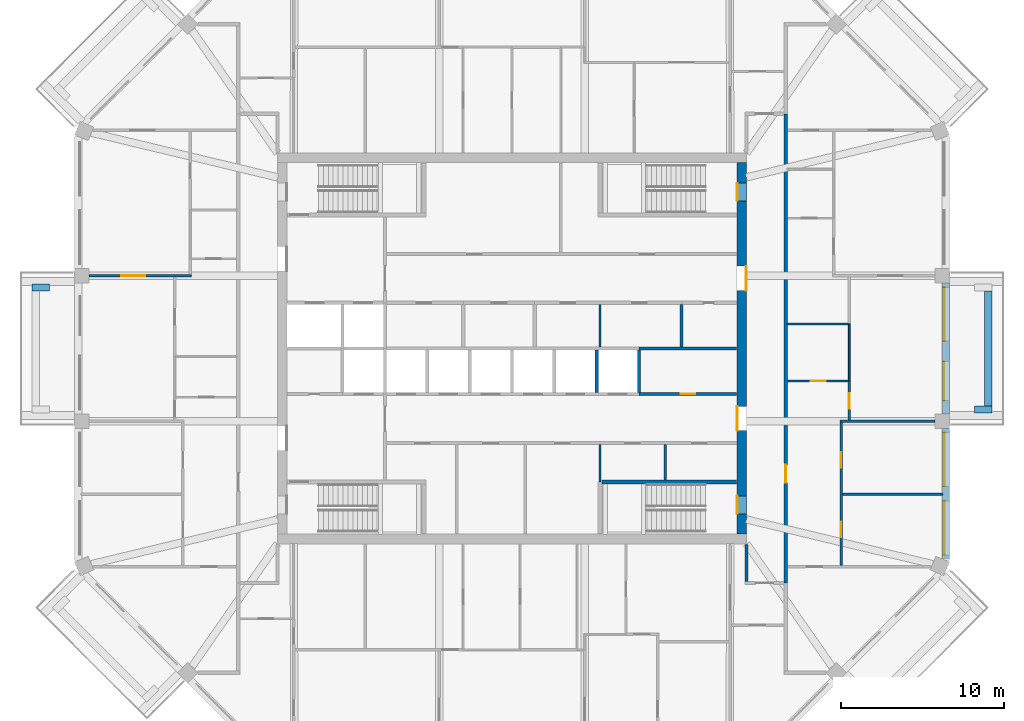
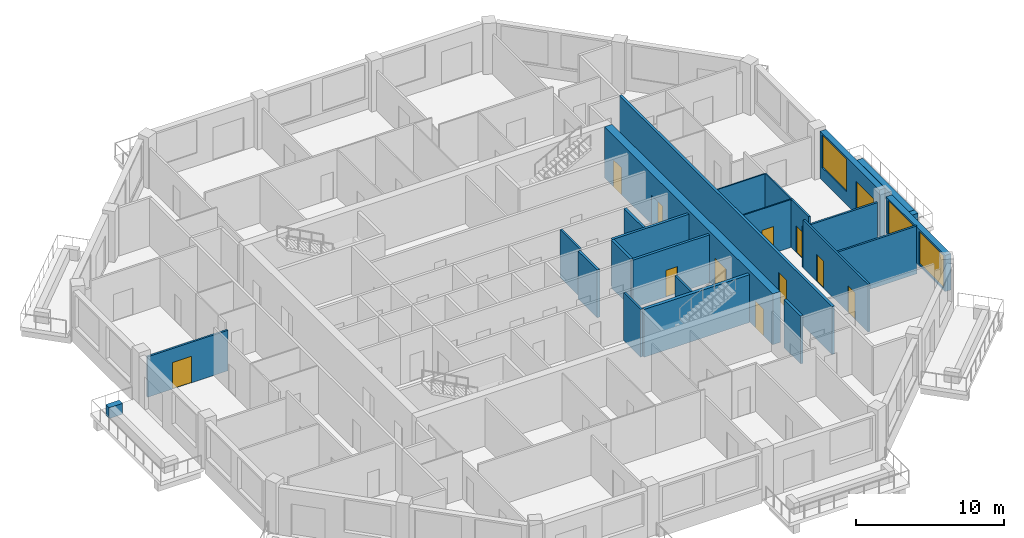
# One storey, part 6 of 12: 25 walls, 12 doors, 3 windows, 15 openings.
"""IFC4 building model written with IfcOpenShell, lengths in metres."""

from ifc_helpers import new_model, si_unit, direction, frame, frame_2d, origin, place, context, subcontext, project, spatial, rectangle, extrude, material, layer, layer_set, type_object, element, fill, save


model = new_model("IFC4")

# Units and contexts
model_context = context("Model", 3, precision=1e-05, world=origin(), true_north=direction((0.0, 1.0)))
body_context = subcontext(model_context, "Body", "Model", "MODEL_VIEW")
ifc_project = project(units=[si_unit("LENGTHUNIT", "METRE"), si_unit("AREAUNIT", "SQUARE_METRE"), si_unit("VOLUMEUNIT", "CUBIC_METRE"), si_unit("PLANEANGLEUNIT", "RADIAN"), si_unit("MASSUNIT", "GRAM", prefix="KILO")], contexts=[model_context])

# Site, building, storey
site_placement = place(None, origin())
site = spatial("IfcSite", under=ifc_project, at=site_placement, CompositionType="ELEMENT")
building_placement = place(site_placement, origin())
building = spatial("IfcBuilding", under=site, at=building_placement, Name="Msitu Wima Residences", CompositionType="ELEMENT")
storey_placement = place(building_placement, frame((0.0, 0.0, 218.10009765625)))
storey = spatial("IfcBuildingStorey", under=building, at=storey_placement, Name="L50", CompositionType="ELEMENT", Elevation=218.10009765625)

# Walls
ifc_material_1 = material(Name="Facing brick")
ifc_layer_1 = layer(ifc_material_1, 0.06494140625, Name="Facing brick")
ifc_material_2 = material(Name="Concrete C40/50", Category="concrete")
ifc_layer_2 = layer(ifc_material_2, 0.156005859375, Name="Concrete C40/50")
ifc_material_3 = material(Name="Waterproofing membrane")
ifc_layer_3 = layer(ifc_material_3, 0.00390625, Name="Waterproofing membrane")
ifc_material_4 = material(Name="Planting soil and planting")
ifc_layer_4 = layer(ifc_material_4, 0.22509765625, Name="Planting soil and planting")
ifc_layer_set_1 = layer_set([ifc_layer_1, ifc_layer_2, ifc_layer_3, ifc_layer_4], Name="Concrete C40/50")
wall_type_1 = type_object("IfcWallType", Name="Balcony planter PLANTER PL450", PredefinedType="USERDEFINED", material=ifc_layer_set_1)
wall_1_placement = place(storey_placement, frame((29.22509765625, -3.5185546875, 0.0), z_axis=(0.0, 0.0, 1.0), x_axis=(0.0, 1.0, 0.0)))
element("IfcWall", 1, at=wall_1_placement, inside=storey, type_object=wall_type_1, Name="Balcony planter E1 L50", ObjectType="PLANTER", PredefinedType="USERDEFINED", context=body_context, shape_type="SweptSolid", body=[
    extrude(rectangle(XDim=7.037109375, YDim=0.449951171875, at=frame_2d((3.5185546875, 0.0))), origin(), (0.0, 0.0, 1.0), 0.89990234375),
])
for number, where, z_axis, x_axis, name in (
    (2, (28.39990234375, -3.74365234375, 0.0), (0.0, 0.0, 1.0), (1.0, 0.0, 0.0), "Balcony planter E1 L50"),
    (3, (-28.39990234375, 3.74365234375, 0.0), (0.0, 0.0, 1.0), (-1.0, 0.0, 0.0), "Balcony planter W1 L50"),
):
    element("IfcWall", number, at=place(storey_placement, frame(where, z_axis=z_axis, x_axis=x_axis)), inside=storey, type_object=wall_type_1, Name=name, ObjectType="PLANTER", PredefinedType="USERDEFINED", context=body_context, shape_type="SweptSolid", body=[
        extrude(rectangle(XDim=1.050048828125, YDim=0.449951171875, at=frame_2d((0.52490234375, 0.0))), origin(), (0.0, 0.0, 1.0), 0.89990234375),
    ])

# Wall, openings, windows
ifc_material_5 = material(Name="Brick (red buff mix)", Category="masonry")
ifc_layer_5 = layer(ifc_material_5, 0.449951171875)
ifc_layer_set_2 = layer_set([ifc_layer_5], Name="Brick (red buff mix)")
wall_type_2 = type_object("IfcWallType", Name="Brick infill wall BW450", PredefinedType="SOLIDWALL", material=ifc_layer_set_2)
wall_2_placement = place(storey_placement, frame((26.625, -12.918701171875, 0.89990234375), z_axis=(0.0, 0.0, 1.0), x_axis=(0.0, 1.0, 0.0)))
wall_2 = element("IfcWall", 4, at=wall_2_placement, inside=storey, type_object=wall_type_2, Name="Brick infill wall L50 E0", PredefinedType="SOLIDWALL", context=body_context, shape_type="SweptSolid", body=[
    extrude(rectangle(XDim=8.0, YDim=0.449951171875, at=frame_2d((4.0, 0.0))), origin(), (0.0, 0.0, 1.0), 3.0),
])
opening_1_placement = place(wall_2_placement, frame((0.25, 0.0, 0.14990234375)))
opening_1 = element("IfcOpeningElement", 5, at=opening_1_placement, cuts=wall_2, Name="Opening W50-51.001", PredefinedType="OPENING", context=body_context, shape_type="SweptSolid", body=[
    extrude(rectangle(XDim=3.300048828125, YDim=2.699951171875, at=frame_2d((1.64990234375, 1.35009765625))), frame((0.0, 0.23486328125, 0.0), z_axis=(0.0, -1.0, 0.0), x_axis=(1.0, 0.0, 0.0)), (0.0, 0.0, 1.0), 0.469970703125),
])
opening_2_placement = place(wall_2_placement, frame((4.4501953125, 0.0, 0.14990234375)))
opening_2 = element("IfcOpeningElement", 6, at=opening_2_placement, cuts=wall_2, Name="Opening W50-51.002", PredefinedType="OPENING", context=body_context, shape_type="SweptSolid", body=[
    extrude(rectangle(XDim=3.300048828125, YDim=2.699951171875, at=frame_2d((1.64990234375, 1.35009765625))), frame((0.0, 0.23486328125, 0.0), z_axis=(0.0, -1.0, 0.0), x_axis=(1.0, 0.0, 0.0)), (0.0, 0.0, 1.0), 0.469970703125),
])
ifc_material_6 = material(Name="Anodised aluminium, bronze finish, clear low-emissivity double glazing", Category="aluminium")
window_type = type_object("IfcWindowType", Name="Window W3300x2700", PartitioningType="DOUBLE_PANEL_VERTICAL", PredefinedType="WINDOW", material=ifc_material_6)
window_1_placement = place(opening_1_placement, origin())
window_1 = element("IfcWindow", 7, at=window_1_placement, inside=storey, type_object=window_type, Name="Window L50 E0.1", OverallHeight=2.699951171875, OverallWidth=3.300048828125, PartitioningType="SINGLE_PANEL", PredefinedType="WINDOW", context=body_context, shape_type="SweptSolid", body=[
    extrude(rectangle(XDim=3.300048828125, YDim=2.699951171875, at=frame_2d((1.64990234375, 1.35009765625))), frame((0.0, 0.135009765625, 0.0), z_axis=(0.0, -1.0, 0.0), x_axis=(1.0, 0.0, 0.0)), (0.0, 0.0, 1.0), 0.06005859375),
])
fill(opening_1, window_1)
window_2_placement = place(opening_2_placement, origin())
window_2 = element("IfcWindow", 8, at=window_2_placement, inside=storey, type_object=window_type, Name="Window L50 E0.2", OverallHeight=2.699951171875, OverallWidth=3.300048828125, PartitioningType="SINGLE_PANEL", PredefinedType="WINDOW", context=body_context, shape_type="SweptSolid", body=[
    extrude(rectangle(XDim=3.300048828125, YDim=2.699951171875, at=frame_2d((1.64990234375, 1.35009765625))), frame((0.0, 0.135009765625, 0.0), z_axis=(0.0, -1.0, 0.0), x_axis=(1.0, 0.0, 0.0)), (0.0, 0.0, 1.0), 0.06005859375),
])
fill(opening_2, window_2)

# Wall, openings, door, window
wall_3_placement = place(storey_placement, frame((26.625, -4.0185546875, 0.0), z_axis=(0.0, 0.0, 1.0), x_axis=(0.0, 1.0, 0.0)))
wall_3 = element("IfcWall", 9, at=wall_3_placement, inside=storey, type_object=wall_type_2, Name="Brick infill wall L50 E1", PredefinedType="SOLIDWALL", context=body_context, shape_type="SweptSolid", body=[
    extrude(rectangle(XDim=8.037109375, YDim=0.449951171875, at=frame_2d((4.0185546875, 0.0))), origin(), (0.0, 0.0, 1.0), 3.89990234375),
])
opening_3_placement = place(wall_3_placement, frame((0.809326171875, 0.0, 0.0)))
opening_3 = element("IfcOpeningElement", 10, at=opening_3_placement, cuts=wall_3, Name="Opening D50-51.001", PredefinedType="OPENING", context=body_context, shape_type="SweptSolid", body=[
    extrude(rectangle(XDim=2.39990234375, YDim=2.699951171875, at=frame_2d((1.199951171875, 1.35009765625))), frame((0.0, 0.23486328125, 0.0), z_axis=(0.0, -1.0, 0.0), x_axis=(1.0, 0.0, 0.0)), (0.0, 0.0, 1.0), 0.469970703125),
])
opening_4_placement = place(wall_3_placement, frame((4.46875, 0.0, 1.050048828125)))
opening_4 = element("IfcOpeningElement", 11, at=opening_4_placement, cuts=wall_3, Name="Opening W50-51.003", PredefinedType="OPENING", context=body_context, shape_type="SweptSolid", body=[
    extrude(rectangle(XDim=3.300048828125, YDim=2.699951171875, at=frame_2d((1.64990234375, 1.35009765625))), frame((0.0, 0.23486328125, 0.0), z_axis=(0.0, -1.0, 0.0), x_axis=(1.0, 0.0, 0.0)), (0.0, 0.0, 1.0), 0.469970703125),
])
door_type_1 = type_object("IfcDoorType", Name="Balcony door D2400x2700", OperationType="SLIDING_TO_LEFT", PredefinedType="DOOR", material=ifc_material_6)
door_1_placement = place(opening_3_placement, origin())
door_1 = element("IfcDoor", 12, at=door_1_placement, inside=storey, type_object=door_type_1, Name="Balcony door L50 E1", OperationType="SINGLE_SWING_LEFT", OverallHeight=2.699951171875, OverallWidth=2.39990234375, PredefinedType="DOOR", context=body_context, shape_type="SweptSolid", body=[
    extrude(rectangle(XDim=2.39990234375, YDim=2.699951171875, at=frame_2d((1.199951171875, 1.35009765625))), frame((0.0, 0.1298828125, 0.0), z_axis=(0.0, -1.0, 0.0), x_axis=(1.0, 0.0, 0.0)), (0.0, 0.0, 1.0), 0.050048828125),
])
fill(opening_3, door_1)
window_3_placement = place(opening_4_placement, origin())
window_3 = element("IfcWindow", 13, at=window_3_placement, inside=storey, type_object=window_type, Name="Window L50 E1.2", OverallHeight=2.699951171875, OverallWidth=3.300048828125, PartitioningType="SINGLE_PANEL", PredefinedType="WINDOW", context=body_context, shape_type="SweptSolid", body=[
    extrude(rectangle(XDim=3.300048828125, YDim=2.699951171875, at=frame_2d((1.64990234375, 1.35009765625))), frame((0.0, 0.135009765625, 0.0), z_axis=(0.0, -1.0, 0.0), x_axis=(1.0, 0.0, 0.0)), (0.0, 0.0, 1.0), 0.06005859375),
])
fill(opening_4, window_3)

# Wall, openings, doors
ifc_material_7 = material(Name="Concrete C50/60", Category="concrete")
ifc_layer_6 = layer(ifc_material_7, 0.60009765625)
ifc_layer_set_3 = layer_set([ifc_layer_6], Name="Concrete C50/60")
wall_type_3 = type_object("IfcWallType", Name="Core wall CW600 C50/60", PredefinedType="SHEAR", material=ifc_layer_set_3)
wall_4_placement = place(storey_placement, frame((14.10009765625, -11.39990234375, 0.0), z_axis=(0.0, 0.0, 1.0), x_axis=(0.0, 1.0, 0.0)))
wall_4 = element("IfcWall", 14, at=wall_4_placement, inside=storey, type_object=wall_type_3, Name="Core wall", PredefinedType="SHEAR", context=body_context, shape_type="SweptSolid", body=[
    extrude(rectangle(XDim=22.7998046875, YDim=0.60009765625, at=frame_2d((11.39990234375, 0.0))), origin(), (0.0, 0.0, 1.0), 4.199951171875),
])
opening_5_placement = place(wall_4_placement, frame((20.449951171875, 0.0, 0.0)))
opening_5 = element("IfcOpeningElement", 15, at=opening_5_placement, cuts=wall_4, Name="Opening D50-51.084", PredefinedType="OPENING", context=body_context, shape_type="SweptSolid", body=[
    extrude(rectangle(XDim=1.10009765625, YDim=2.199951171875, at=frame_2d((0.550048828125, 1.10009765625))), frame((0.0, 0.31005859375, 0.0), z_axis=(0.0, -1.0, 0.0), x_axis=(1.0, 0.0, 0.0)), (0.0, 0.0, 1.0), 0.6201171875),
])
opening_6_placement = place(wall_4_placement, frame((1.25, 0.0, 0.0)))
opening_6 = element("IfcOpeningElement", 16, at=opening_6_placement, cuts=wall_4, Name="Opening D50-51.085", PredefinedType="OPENING", context=body_context, shape_type="SweptSolid", body=[
    extrude(rectangle(XDim=1.10009765625, YDim=2.199951171875, at=frame_2d((0.550048828125, 1.10009765625))), frame((0.0, 0.31005859375, 0.0), z_axis=(0.0, -1.0, 0.0), x_axis=(1.0, 0.0, 0.0)), (0.0, 0.0, 1.0), 0.6201171875),
])
opening_7_placement = place(wall_4_placement, frame((14.949951171875, 0.0, 0.0)))
opening_7 = element("IfcOpeningElement", 17, at=opening_7_placement, cuts=wall_4, Name="Opening D50-51.072", PredefinedType="OPENING", context=body_context, shape_type="SweptSolid", body=[
    extrude(rectangle(XDim=1.5, YDim=2.39990234375, at=frame_2d((0.75, 1.199951171875))), frame((0.0, 0.31005859375, 0.0), z_axis=(0.0, -1.0, 0.0), x_axis=(1.0, 0.0, 0.0)), (0.0, 0.0, 1.0), 0.6201171875),
])
opening_8_placement = place(wall_4_placement, frame((6.35009765625, 0.0, 0.0)))
opening_8 = element("IfcOpeningElement", 18, at=opening_8_placement, cuts=wall_4, Name="Opening D50-51.073", PredefinedType="OPENING", context=body_context, shape_type="SweptSolid", body=[
    extrude(rectangle(XDim=1.5, YDim=2.39990234375, at=frame_2d((0.75, 1.199951171875))), frame((0.0, 0.31005859375, 0.0), z_axis=(0.0, -1.0, 0.0), x_axis=(1.0, 0.0, 0.0)), (0.0, 0.0, 1.0), 0.6201171875),
])
ifc_material_8 = material(Name="Steel framed glazed door, fire resisting", Category="steel")
door_type_2 = type_object("IfcDoorType", Name="Lobby door D07 1500x2400", OperationType="DOUBLE_DOOR_SINGLE_SWING", PredefinedType="DOOR", material=ifc_material_8)
door_2_placement = place(opening_7_placement, origin())
door_2 = element("IfcDoor", 19, at=door_2_placement, inside=storey, type_object=door_type_2, Name="Lobby door", OperationType="DOUBLE_DOOR_SINGLE_SWING", OverallHeight=2.39990234375, OverallWidth=1.5, PredefinedType="DOOR", context=body_context, shape_type="SweptSolid", body=[
    extrude(rectangle(XDim=1.5, YDim=2.39990234375, at=frame_2d((0.75, 1.199951171875))), frame((0.0, -0.2451171875, 0.0), z_axis=(0.0, -1.0, 0.0), x_axis=(1.0, 0.0, 0.0)), (0.0, 0.0, 1.0), 0.050048828125),
])
fill(opening_7, door_2)
door_3_placement = place(opening_8_placement, origin())
door_3 = element("IfcDoor", 20, at=door_3_placement, inside=storey, type_object=door_type_2, Name="Lobby door", OperationType="DOUBLE_DOOR_SINGLE_SWING", OverallHeight=2.39990234375, OverallWidth=1.5, PredefinedType="DOOR", context=body_context, shape_type="SweptSolid", body=[
    extrude(rectangle(XDim=1.5, YDim=2.39990234375, at=frame_2d((0.75, 1.199951171875))), frame((0.0, 0.294921875, 0.0), z_axis=(0.0, -1.0, 0.0), x_axis=(1.0, 0.0, 0.0)), (0.0, 0.0, 1.0), 0.050048828125),
])
fill(opening_8, door_3)
ifc_material_9 = material(Name="Steel door, fire resisting, panic bar", Category="steel")
door_type_3 = type_object("IfcDoorType", Name="Stair door D06 1100x2200", OperationType="SINGLE_SWING_LEFT", PredefinedType="DOOR", material=ifc_material_9)
door_4_placement = place(opening_5_placement, origin())
door_4 = element("IfcDoor", 21, at=door_4_placement, inside=storey, type_object=door_type_3, Name="Stair door", OperationType="SINGLE_SWING_LEFT", OverallHeight=2.199951171875, OverallWidth=1.10009765625, PredefinedType="DOOR", context=body_context, shape_type="SweptSolid", body=[
    extrude(rectangle(XDim=1.10009765625, YDim=2.199951171875, at=frame_2d((0.550048828125, 1.10009765625))), frame((0.0, 0.294921875, 0.0), z_axis=(0.0, -1.0, 0.0), x_axis=(1.0, 0.0, 0.0)), (0.0, 0.0, 1.0), 0.050048828125),
])
fill(opening_5, door_4)
door_5_placement = place(opening_6_placement, origin())
door_5 = element("IfcDoor", 22, at=door_5_placement, inside=storey, type_object=door_type_3, Name="Stair door", OperationType="SINGLE_SWING_RIGHT", OverallHeight=2.199951171875, OverallWidth=1.10009765625, PredefinedType="DOOR", context=body_context, shape_type="SweptSolid", body=[
    extrude(rectangle(XDim=1.10009765625, YDim=2.199951171875, at=frame_2d((0.550048828125, 1.10009765625))), frame((0.0, 0.294921875, 0.0), z_axis=(0.0, -1.0, 0.0), x_axis=(1.0, 0.0, 0.0)), (0.0, 0.0, 1.0), 0.050048828125),
])
fill(opening_6, door_5)

# Wall
ifc_material_10 = material(Name="Plaster")
ifc_layer_7 = layer(ifc_material_10, 0.011962890625, Name="Plaster")
ifc_material_11 = material(Name="Concrete blockwork", Category="masonry")
ifc_layer_8 = layer(ifc_material_11, 0.176025390625, Name="Concrete blockwork")
ifc_layer_9 = layer(ifc_material_10, 0.011962890625, Name="Plaster")
ifc_layer_set_4 = layer_set([ifc_layer_7, ifc_layer_8, ifc_layer_9], Name="Concrete blockwork")
wall_type_4 = type_object("IfcWallType", Name="Corridor wall FW200", PredefinedType="PARTITIONING", material=ifc_layer_set_4)
wall_5_placement = place(storey_placement, frame((14.39990234375, -14.300048828125, 0.0), z_axis=(0.0, 0.0, 1.0), x_axis=(0.0, 1.0, 0.0)))
element("IfcWall", 23, at=wall_5_placement, inside=storey, type_object=wall_type_4, Name="Corridor wall", PredefinedType="PARTITIONING", context=body_context, shape_type="SweptSolid", body=[
    extrude(rectangle(XDim=2.27001953125, YDim=0.199951171875, at=frame_2d((1.135009765625, 0.0))), origin(), (0.0, 0.0, 1.0), 3.949951171875),
])

# Wall, opening, door
wall_6_placement = place(storey_placement, frame((16.800048828125, -14.39990234375, 0.0), z_axis=(0.0, 0.0, 1.0), x_axis=(0.0, 1.0, 0.0)))
wall_6 = element("IfcWall", 24, at=wall_6_placement, inside=storey, type_object=wall_type_4, Name="Corridor wall", PredefinedType="PARTITIONING", context=body_context, shape_type="SweptSolid", body=[
    extrude(rectangle(XDim=28.7998046875, YDim=0.199951171875, at=frame_2d((14.39990234375, 0.0))), origin(), (0.0, 0.0, 1.0), 3.949951171875),
])
opening_9_placement = place(wall_6_placement, frame((6.14990234375, 0.0, 0.0)))
opening_9 = element("IfcOpeningElement", 25, at=opening_9_placement, cuts=wall_6, Name="Opening D50-51.011", PredefinedType="OPENING", context=body_context, shape_type="SweptSolid", body=[
    extrude(rectangle(XDim=1.10009765625, YDim=2.39990234375, at=frame_2d((0.550048828125, 1.199951171875))), frame((0.0, 0.10986328125, 0.0), z_axis=(0.0, -1.0, 0.0), x_axis=(1.0, 0.0, 0.0)), (0.0, 0.0, 1.0), 0.219970703125),
])
ifc_material_12 = material(Name="Timber flush door, fire resisting, self-closing", Category="wood")
door_type_4 = type_object("IfcDoorType", Name="Flat entrance door D01 1100x2400", OperationType="SINGLE_SWING_LEFT", PredefinedType="DOOR", material=ifc_material_12)
door_6_placement = place(opening_9_placement, origin())
door_6 = element("IfcDoor", 26, at=door_6_placement, inside=storey, type_object=door_type_4, Name="Flat entrance door", OperationType="SINGLE_SWING_RIGHT", OverallHeight=2.39990234375, OverallWidth=1.10009765625, PredefinedType="DOOR", context=body_context, shape_type="SweptSolid", body=[
    extrude(rectangle(XDim=1.10009765625, YDim=2.39990234375, at=frame_2d((0.550048828125, 1.199951171875))), frame((0.0, 0.02490234375, 0.0), z_axis=(0.0, -1.0, 0.0), x_axis=(1.0, 0.0, 0.0)), (0.0, 0.0, 1.0), 0.050048828125),
])
fill(opening_9, door_6)

ifc_layer_10 = layer(ifc_material_10, 0.011962890625, Name="Plaster")
ifc_layer_11 = layer(ifc_material_11, 0.1259765625, Name="Concrete blockwork")
ifc_layer_12 = layer(ifc_material_10, 0.011962890625, Name="Plaster")
ifc_layer_set_5 = layer_set([ifc_layer_10, ifc_layer_11, ifc_layer_12], Name="Concrete blockwork")
wall_type_5 = type_object("IfcWallType", Name="Partition PW150", PredefinedType="PARTITIONING", material=ifc_layer_set_5)
wall_7_placement = place(storey_placement, frame((-25.949951171875, 4.46875, 0.0), z_axis=(0.0, 0.0, 1.0), x_axis=(1.0, 0.0, 0.0)))
wall_7 = element("IfcWall", 27, at=wall_7_placement, inside=storey, type_object=wall_type_5, Name="Partition", PredefinedType="PARTITIONING", context=body_context, shape_type="SweptSolid", body=[
    extrude(rectangle(XDim=6.27490234375, YDim=0.14990234375, at=frame_2d((3.137451171875, 0.0))), origin(), (0.0, 0.0, 1.0), 3.349853515625),
])
opening_10_placement = place(wall_7_placement, frame((1.949951171875, 0.0, 0.0)))
opening_10 = element("IfcOpeningElement", 28, at=opening_10_placement, cuts=wall_7, Name="Opening D50-51.042", PredefinedType="OPENING", context=body_context, shape_type="SweptSolid", body=[
    extrude(rectangle(XDim=1.5, YDim=2.199951171875, at=frame_2d((0.75, 1.10009765625))), frame((0.0, 0.0849609375, 0.0), z_axis=(0.0, -1.0, 0.0), x_axis=(1.0, 0.0, 0.0)), (0.0, 0.0, 1.0), 0.169921875),
])
ifc_material_13 = material(Name="Timber double door", Category="wood")
door_type_5 = type_object("IfcDoorType", Name="Double door D04 1500x2200", OperationType="DOUBLE_DOOR_SINGLE_SWING", PredefinedType="DOOR", material=ifc_material_13)
door_7_placement = place(opening_10_placement, origin())
door_7 = element("IfcDoor", 29, at=door_7_placement, inside=storey, type_object=door_type_5, Name="Double door", OperationType="DOUBLE_DOOR_SINGLE_SWING", OverallHeight=2.199951171875, OverallWidth=1.5, PredefinedType="DOOR", context=body_context, shape_type="SweptSolid", body=[
    extrude(rectangle(XDim=1.5, YDim=2.199951171875, at=frame_2d((0.75, 1.10009765625))), frame((0.0, 0.02490234375, 0.0), z_axis=(0.0, -1.0, 0.0), x_axis=(1.0, 0.0, 0.0)), (0.0, 0.0, 1.0), 0.050048828125),
])
fill(opening_10, door_7)

# Walls
wall_8_placement = place(storey_placement, frame((5.39990234375, -8.199951171875, 0.0), z_axis=(0.0, 0.0, 1.0), x_axis=(0.0, 1.0, 0.0)))
element("IfcWall", 30, at=wall_8_placement, inside=storey, type_object=wall_type_5, Name="Partition", PredefinedType="PARTITIONING", context=body_context, shape_type="SweptSolid", body=[
    extrude(rectangle(XDim=2.300048828125, YDim=0.14990234375, at=frame_2d((1.14990234375, 0.0))), origin(), (0.0, 0.0, 1.0), 3.949951171875),
])
wall_9_placement = place(storey_placement, frame((5.39990234375, 0.10009765625, 0.0), z_axis=(0.0, 0.0, 1.0), x_axis=(0.0, 1.0, 0.0)))
element("IfcWall", 31, at=wall_9_placement, inside=storey, type_object=wall_type_5, Name="Partition", PredefinedType="PARTITIONING", context=body_context, shape_type="SweptSolid", body=[
    extrude(rectangle(XDim=2.599853515625, YDim=0.14990234375, at=frame_2d((1.2998046875, 0.0))), origin(), (0.0, 0.0, 1.0), 3.949951171875),
])
wall_10_placement = place(storey_placement, frame((9.39990234375, -8.074951171875, 0.0), z_axis=(0.0, 0.0, 1.0), x_axis=(0.0, 1.0, 0.0)))
element("IfcWall", 32, at=wall_10_placement, inside=storey, type_object=wall_type_5, Name="Partition", PredefinedType="PARTITIONING", context=body_context, shape_type="SweptSolid", body=[
    extrude(rectangle(XDim=2.175048828125, YDim=0.14990234375, at=frame_2d((1.08740234375, 0.0))), origin(), (0.0, 0.0, 1.0), 3.949951171875),
])

# Wall, openings, doors
wall_11_placement = place(storey_placement, frame((20.199951171875, -13.330810546875, 0.0), z_axis=(0.0, 0.0, 1.0), x_axis=(0.0, 1.0, 0.0)))
wall_11 = element("IfcWall", 33, at=wall_11_placement, inside=storey, type_object=wall_type_5, Name="Partition", PredefinedType="PARTITIONING", context=body_context, shape_type="SweptSolid", body=[
    extrude(rectangle(XDim=8.787109375, YDim=0.14990234375, at=frame_2d((4.3935546875, 0.0))), origin(), (0.0, 0.0, 1.0), 3.949951171875),
])
opening_11_placement = place(wall_11_placement, frame((1.75, 0.0, 0.0)))
opening_11 = element("IfcOpeningElement", 34, at=opening_11_placement, cuts=wall_11, Name="Opening D50-51.015", PredefinedType="OPENING", context=body_context, shape_type="SweptSolid", body=[
    extrude(rectangle(XDim=0.949951171875, YDim=2.199951171875, at=frame_2d((0.47509765625, 1.10009765625))), frame((0.0, 0.0849609375, 0.0), z_axis=(0.0, -1.0, 0.0), x_axis=(1.0, 0.0, 0.0)), (0.0, 0.0, 1.0), 0.169921875),
])
opening_12_placement = place(wall_11_placement, frame((6.0, 0.0, 0.0)))
opening_12 = element("IfcOpeningElement", 35, at=opening_12_placement, cuts=wall_11, Name="Opening D50-51.016", PredefinedType="OPENING", context=body_context, shape_type="SweptSolid", body=[
    extrude(rectangle(XDim=0.949951171875, YDim=2.199951171875, at=frame_2d((0.47509765625, 1.10009765625))), frame((0.0, 0.0849609375, 0.0), z_axis=(0.0, -1.0, 0.0), x_axis=(1.0, 0.0, 0.0)), (0.0, 0.0, 1.0), 0.169921875),
])
ifc_material_14 = material(Name="Timber flush door", Category="wood")
door_type_6 = type_object("IfcDoorType", Name="Room door D12 950x2200", OperationType="SINGLE_SWING_LEFT", PredefinedType="DOOR", material=ifc_material_14)
door_8_placement = place(opening_11_placement, origin())
door_8 = element("IfcDoor", 36, at=door_8_placement, inside=storey, type_object=door_type_6, Name="Room door", OperationType="SINGLE_SWING_LEFT", OverallHeight=2.199951171875, OverallWidth=0.949951171875, PredefinedType="DOOR", context=body_context, shape_type="SweptSolid", body=[
    extrude(rectangle(XDim=0.949951171875, YDim=2.199951171875, at=frame_2d((0.47509765625, 1.10009765625))), frame((0.0, 0.02490234375, 0.0), z_axis=(0.0, -1.0, 0.0), x_axis=(1.0, 0.0, 0.0)), (0.0, 0.0, 1.0), 0.050048828125),
])
fill(opening_11, door_8)
door_9_placement = place(opening_12_placement, origin())
door_9 = element("IfcDoor", 37, at=door_9_placement, inside=storey, type_object=door_type_6, Name="Room door", OperationType="SINGLE_SWING_RIGHT", OverallHeight=2.199951171875, OverallWidth=0.949951171875, PredefinedType="DOOR", context=body_context, shape_type="SweptSolid", body=[
    extrude(rectangle(XDim=0.949951171875, YDim=2.199951171875, at=frame_2d((0.47509765625, 1.10009765625))), frame((0.0, 0.02490234375, 0.0), z_axis=(0.0, -1.0, 0.0), x_axis=(1.0, 0.0, 0.0)), (0.0, 0.0, 1.0), 0.050048828125),
])
fill(opening_12, door_9)

# Walls
wall_12_placement = place(storey_placement, frame((20.27490234375, -8.937255859375, 0.0), z_axis=(0.0, 0.0, 1.0), x_axis=(1.0, 0.0, 0.0)))
element("IfcWall", 38, at=wall_12_placement, inside=storey, type_object=wall_type_5, Name="Partition", PredefinedType="PARTITIONING", context=body_context, shape_type="SweptSolid", body=[
    extrude(rectangle(XDim=6.18017578125, YDim=0.14990234375, at=frame_2d((3.090087890625, 0.0))), origin(), (0.0, 0.0, 1.0), 3.949951171875),
])
wall_13_placement = place(storey_placement, frame((20.125, -4.46875, 0.0), z_axis=(0.0, 0.0, 1.0), x_axis=(1.0, 0.0, 0.0)))
element("IfcWall", 39, at=wall_13_placement, inside=storey, type_object=wall_type_5, Name="Partition", PredefinedType="PARTITIONING", context=body_context, shape_type="SweptSolid", body=[
    extrude(rectangle(XDim=5.824951171875, YDim=0.14990234375, at=frame_2d((2.91259765625, 0.0))), origin(), (0.0, 0.0, 1.0), 3.349853515625),
])

# Wall, opening, door
wall_14_placement = place(storey_placement, frame((20.699951171875, -4.3935546875, 0.0), z_axis=(0.0, 0.0, 1.0), x_axis=(0.0, 1.0, 0.0)))
wall_14 = element("IfcWall", 40, at=wall_14_placement, inside=storey, type_object=wall_type_5, Name="Partition", PredefinedType="PARTITIONING", context=body_context, shape_type="SweptSolid", body=[
    extrude(rectangle(XDim=2.37353515625, YDim=0.14990234375, at=frame_2d((1.186767578125, 0.0))), origin(), (0.0, 0.0, 1.0), 3.949951171875),
])
opening_13_placement = place(wall_14_placement, frame((0.699951171875, 0.0, 0.0)))
opening_13 = element("IfcOpeningElement", 41, at=opening_13_placement, cuts=wall_14, Name="Opening D50-51.017", PredefinedType="OPENING", context=body_context, shape_type="SweptSolid", body=[
    extrude(rectangle(XDim=0.949951171875, YDim=2.199951171875, at=frame_2d((0.47509765625, 1.10009765625))), frame((0.0, 0.0849609375, 0.0), z_axis=(0.0, -1.0, 0.0), x_axis=(1.0, 0.0, 0.0)), (0.0, 0.0, 1.0), 0.169921875),
])
door_10_placement = place(opening_13_placement, origin())
door_10 = element("IfcDoor", 42, at=door_10_placement, inside=storey, type_object=door_type_6, Name="Room door", OperationType="SINGLE_SWING_RIGHT", OverallHeight=2.199951171875, OverallWidth=0.949951171875, PredefinedType="DOOR", context=body_context, shape_type="SweptSolid", body=[
    extrude(rectangle(XDim=0.949951171875, YDim=2.199951171875, at=frame_2d((0.47509765625, 1.10009765625))), frame((0.0, 0.02490234375, 0.0), z_axis=(0.0, -1.0, 0.0), x_axis=(1.0, 0.0, 0.0)), (0.0, 0.0, 1.0), 0.050048828125),
])
fill(opening_13, door_10)

ifc_layer_13 = layer(ifc_material_10, 0.011962890625, Name="Plaster")
ifc_material_15 = material(Name="Reinforced concrete blockwork", Category="masonry")
ifc_layer_14 = layer(ifc_material_15, 0.176025390625, Name="Reinforced concrete blockwork")
ifc_layer_15 = layer(ifc_material_10, 0.011962890625, Name="Plaster")
ifc_layer_set_6 = layer_set([ifc_layer_13, ifc_layer_14, ifc_layer_15], Name="Reinforced concrete blockwork")
wall_type_6 = type_object("IfcWallType", Name="Plant and riser wall PL200", PredefinedType="PARTITIONING", material=ifc_layer_set_6)
wall_15_placement = place(storey_placement, frame((7.800048828125, -2.800048828125, 0.0), z_axis=(0.0, 0.0, 1.0), x_axis=(1.0, 0.0, 0.0)))
wall_15 = element("IfcWall", 43, at=wall_15_placement, inside=storey, type_object=wall_type_6, Name="Plant and riser wall", PredefinedType="PARTITIONING", context=body_context, shape_type="SweptSolid", body=[
    extrude(rectangle(XDim=5.969970703125, YDim=0.199951171875, at=frame_2d((2.98486328125, 0.0))), origin(), (0.0, 0.0, 1.0), 3.949951171875),
])
opening_14_placement = place(wall_15_placement, frame((2.550048828125, 0.0, 0.0)))
opening_14 = element("IfcOpeningElement", 44, at=opening_14_placement, cuts=wall_15, Name="Opening D50-51.060", PredefinedType="OPENING", context=body_context, shape_type="SweptSolid", body=[
    extrude(rectangle(XDim=0.89990234375, YDim=2.199951171875, at=frame_2d((0.449951171875, 1.10009765625))), frame((0.0, 0.10986328125, 0.0), z_axis=(0.0, -1.0, 0.0), x_axis=(1.0, 0.0, 0.0)), (0.0, 0.0, 1.0), 0.219970703125),
])
door_type_7 = type_object("IfcDoorType", Name="Service door D05 900x2200", OperationType="SINGLE_SWING_LEFT", PredefinedType="DOOR", material=ifc_material_14)
door_11_placement = place(opening_14_placement, origin())
door_11 = element("IfcDoor", 45, at=door_11_placement, inside=storey, type_object=door_type_7, Name="Service door", OperationType="SINGLE_SWING_LEFT", OverallHeight=2.199951171875, OverallWidth=0.89990234375, PredefinedType="DOOR", context=body_context, shape_type="SweptSolid", body=[
    extrude(rectangle(XDim=0.89990234375, YDim=2.199951171875, at=frame_2d((0.449951171875, 1.10009765625))), frame((0.0, 0.02490234375, 0.0), z_axis=(0.0, -1.0, 0.0), x_axis=(1.0, 0.0, 0.0)), (0.0, 0.0, 1.0), 0.050048828125),
])
fill(opening_14, door_11)

# Walls
wall_16_placement = place(storey_placement, frame((7.800048828125, 0.0, 0.0), z_axis=(0.0, 0.0, 1.0), x_axis=(1.0, 0.0, 0.0)))
element("IfcWall", 46, at=wall_16_placement, inside=storey, type_object=wall_type_6, Name="Plant and riser wall", PredefinedType="PARTITIONING", context=body_context, shape_type="SweptSolid", body=[
    extrude(rectangle(XDim=5.969970703125, YDim=0.199951171875, at=frame_2d((2.98486328125, 0.0))), origin(), (0.0, 0.0, 1.0), 3.949951171875),
])
wall_17_placement = place(storey_placement, frame((10.39990234375, 0.10009765625, 0.0), z_axis=(0.0, 0.0, 1.0), x_axis=(0.0, 1.0, 0.0)))
element("IfcWall", 47, at=wall_17_placement, inside=storey, type_object=wall_type_6, Name="Plant and riser wall", PredefinedType="PARTITIONING", context=body_context, shape_type="SweptSolid", body=[
    extrude(rectangle(XDim=2.599853515625, YDim=0.199951171875, at=frame_2d((1.2998046875, 0.0))), origin(), (0.0, 0.0, 1.0), 3.949951171875),
])
ifc_material_16 = material(Name="Fire-rated board")
ifc_layer_16 = layer(ifc_material_16, 0.02490234375, Name="Fire-rated board")
ifc_material_17 = material(Name="Light-gauge stud framing with mineral wool")
ifc_layer_17 = layer(ifc_material_17, 0.14990234375, Name="Light-gauge stud framing with mineral wool")
ifc_layer_18 = layer(ifc_material_16, 0.02490234375, Name="Fire-rated board")
ifc_layer_set_7 = layer_set([ifc_layer_16, ifc_layer_17, ifc_layer_18], Name="Light-gauge stud framing with mineral wool")
wall_type_7 = type_object("IfcWallType", Name="Shaft wall SH200", PredefinedType="PARTITIONING", material=ifc_layer_set_7)
for number, where, z_axis, x_axis, name in (
    (48, (5.199951171875, -2.699951171875, 0.0), (0.0, 0.0, 1.0), (0.0, 1.0, 0.0), "Shaft wall"),
    (49, (7.800048828125, -2.699951171875, 0.0), (0.0, 0.0, 1.0), (0.0, 1.0, 0.0), "Shaft wall"),
):
    element("IfcWall", number, at=place(storey_placement, frame(where, z_axis=z_axis, x_axis=x_axis)), inside=storey, type_object=wall_type_7, Name=name, PredefinedType="PARTITIONING", context=body_context, shape_type="SweptSolid", body=[
        extrude(rectangle(XDim=2.599853515625, YDim=0.199951171875, at=frame_2d((1.2998046875, 0.0))), origin(), (0.0, 0.0, 1.0), 3.949951171875),
    ])
ifc_layer_19 = layer(ifc_material_7, 0.25)
ifc_layer_set_8 = layer_set([ifc_layer_19], Name="Concrete C50/60")
wall_type_8 = type_object("IfcWallType", Name="Stair enclosure wall SW250", PredefinedType="SHEAR", material=ifc_layer_set_8)
wall_18_placement = place(storey_placement, frame((5.52490234375, -8.199951171875, 0.0), z_axis=(0.0, 0.0, 1.0), x_axis=(1.0, 0.0, 0.0)))
element("IfcWall", 50, at=wall_18_placement, inside=storey, type_object=wall_type_8, Name="Stair enclosure wall", PredefinedType="SHEAR", context=body_context, shape_type="SweptSolid", body=[
    extrude(rectangle(XDim=8.2451171875, YDim=0.25, at=frame_2d((4.12255859375, 0.0))), origin(), (0.0, 0.0, 1.0), 3.949951171875),
])

# Wall, opening, door
ifc_material_18 = material(Name="Ceramic tiles")
ifc_layer_20 = layer(ifc_material_18, 0.008056640625, Name="Ceramic tiles")
ifc_material_19 = material(Name="Moisture-resistant board")
ifc_layer_21 = layer(ifc_material_19, 0.012451171875, Name="Moisture-resistant board")
ifc_layer_22 = layer(ifc_material_17, 0.06689453125, Name="Light-gauge stud framing with mineral wool")
ifc_layer_23 = layer(ifc_material_19, 0.012451171875, Name="Moisture-resistant board")
ifc_layer_set_9 = layer_set([ifc_layer_20, ifc_layer_21, ifc_layer_22, ifc_layer_23], Name="Light-gauge stud framing with mineral wool")
wall_type_9 = type_object("IfcWallType", Name="Wet wall PW100", PredefinedType="PARTITIONING", material=ifc_layer_set_9)
wall_19_placement = place(storey_placement, frame((16.89990234375, -2.0, 0.0), z_axis=(0.0, 0.0, 1.0), x_axis=(1.0, 0.0, 0.0)))
wall_19 = element("IfcWall", 51, at=wall_19_placement, inside=storey, type_object=wall_type_9, Name="Wet wall", PredefinedType="PARTITIONING", context=body_context, shape_type="SweptSolid", body=[
    extrude(rectangle(XDim=3.75, YDim=0.10009765625, at=frame_2d((1.875, 0.0))), origin(), (0.0, 0.0, 1.0), 3.949951171875),
])
opening_15_placement = place(wall_19_placement, frame((1.449951171875, 0.0, 0.0)))
opening_15 = element("IfcOpeningElement", 52, at=opening_15_placement, cuts=wall_19, Name="Opening D50-51.014", PredefinedType="OPENING", context=body_context, shape_type="SweptSolid", body=[
    extrude(rectangle(XDim=0.89990234375, YDim=2.199951171875, at=frame_2d((0.449951171875, 1.10009765625))), frame((0.0, 0.06005859375, 0.0), z_axis=(0.0, -1.0, 0.0), x_axis=(1.0, 0.0, 0.0)), (0.0, 0.0, 1.0), 0.1201171875),
])
ifc_material_20 = material(Name="Timber flush door, moisture resistant", Category="wood")
door_type_8 = type_object("IfcDoorType", Name="Bathroom door D03 900x2200", OperationType="SINGLE_SWING_LEFT", PredefinedType="DOOR", material=ifc_material_20)
door_12_placement = place(opening_15_placement, origin())
door_12 = element("IfcDoor", 53, at=door_12_placement, inside=storey, type_object=door_type_8, Name="Bathroom door", OperationType="SINGLE_SWING_RIGHT", OverallHeight=2.199951171875, OverallWidth=0.89990234375, PredefinedType="DOOR", context=body_context, shape_type="SweptSolid", body=[
    extrude(rectangle(XDim=0.89990234375, YDim=2.199951171875, at=frame_2d((0.449951171875, 1.10009765625))), frame((0.0, 0.02490234375, 0.0), z_axis=(0.0, -1.0, 0.0), x_axis=(1.0, 0.0, 0.0)), (0.0, 0.0, 1.0), 0.050048828125),
])
fill(opening_15, door_12)

# Walls
wall_20_placement = place(storey_placement, frame((16.89990234375, 1.5, 0.0), z_axis=(0.0, 0.0, 1.0), x_axis=(1.0, 0.0, 0.0)))
element("IfcWall", 54, at=wall_20_placement, inside=storey, type_object=wall_type_9, Name="Wet wall", PredefinedType="PARTITIONING", context=body_context, shape_type="SweptSolid", body=[
    extrude(rectangle(XDim=3.72509765625, YDim=0.10009765625, at=frame_2d((1.862548828125, 0.0))), origin(), (0.0, 0.0, 1.0), 3.949951171875),
])
wall_21_placement = place(storey_placement, frame((20.699951171875, -2.02001953125, 0.0), z_axis=(0.0, 0.0, 1.0), x_axis=(0.0, 1.0, 0.0)))
element("IfcWall", 55, at=wall_21_placement, inside=storey, type_object=wall_type_9, Name="Wet wall", PredefinedType="PARTITIONING", context=body_context, shape_type="SweptSolid", body=[
    extrude(rectangle(XDim=3.52001953125, YDim=0.10009765625, at=frame_2d((1.760009765625, 0.0))), origin(), (0.0, 0.0, 1.0), 3.949951171875),
])

save(model, "model.ifc")
